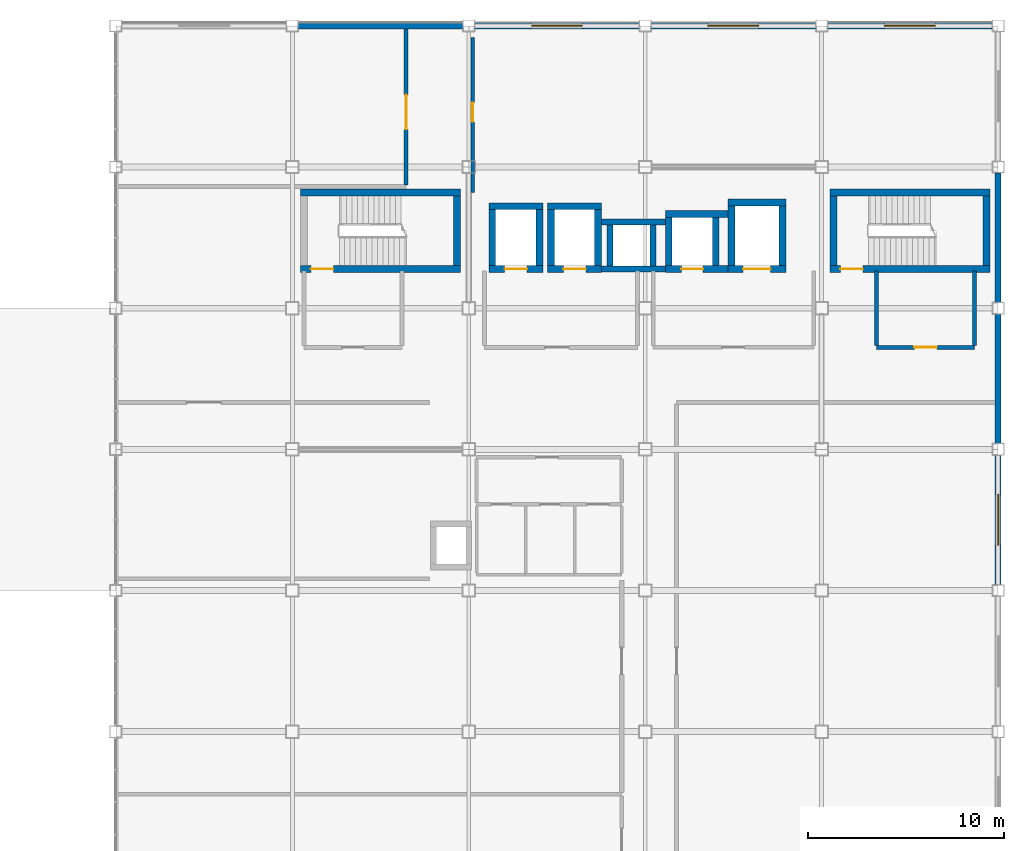
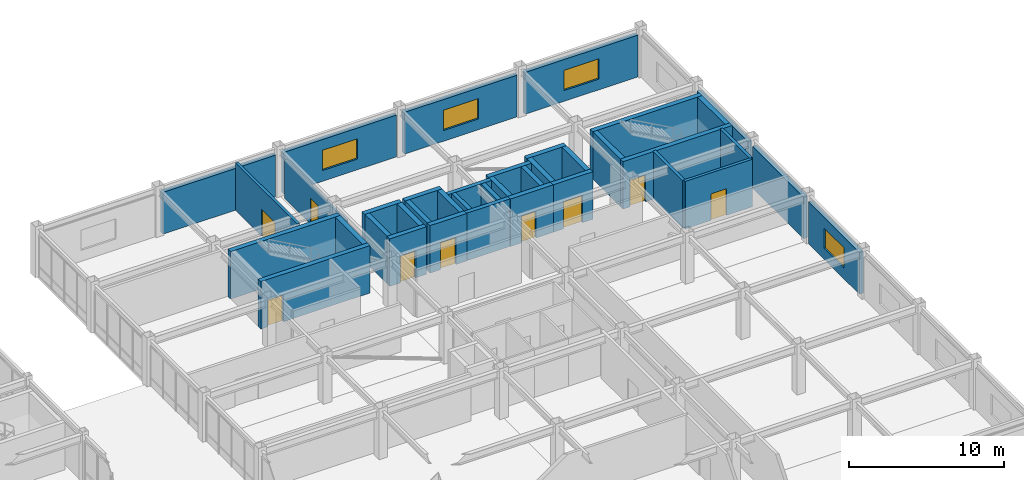
# One storey, part 99 of 113: 39 walls, 9 doors, 4 windows, 13 openings.
"""IFC4 building model written with IfcOpenShell, lengths in metres."""

import ifcopenshell
import ifcopenshell.guid

model = None  # the IFC model being written
_history = None  # IfcOwnerHistory: only IFC2X3 demands one
_inside = {}  # id of a spatial element -> (the spatial element, [elements in it])
_under = {}  # id of a project, library or spatial element -> (it, [spatial elements below it])
_declared = {}  # id of a project -> (the project, [libraries it declares])
_typed = {}  # id of a type object -> (the type object, [elements of that type])
_made_of = {}  # id of a material, layer set ... -> (it, [elements and type objects made of it])


def new_model(schema):
    """Start an empty IFC model of exactly this schema.

    Asked for "IFC4X3", IfcOpenShell would pick the latest addendum, in which some entities
    have other attributes; the version numbers below select the first issue.
    IFC2X3 requires an IfcOwnerHistory on every rooted entity: one is made here for all.
    """
    global model, _history
    if schema == "IFC4X3":
        model = ifcopenshell.file(schema_version=(4, 3, 0, 0))
    else:
        model = ifcopenshell.file(schema=schema)
    _inside.clear()
    _under.clear()
    _declared.clear()
    _typed.clear()
    _made_of.clear()
    _history = None
    if model.schema == "IFC2X3":
        org = make("IfcOrganization", Name="unknown")
        user = make(
            "IfcPersonAndOrganization",
            ThePerson=make("IfcPerson", FamilyName="unknown"),
            TheOrganization=org,
        )
        app = make(
            "IfcApplication",
            ApplicationDeveloper=org,
            Version="unknown",
            ApplicationFullName="unknown",
            ApplicationIdentifier="unknown",
        )
        _history = make(
            "IfcOwnerHistory",
            OwningUser=user,
            OwningApplication=app,
            ChangeAction="ADDED",
            CreationDate=0,
        )
    return model


def make(cls, **values):
    """One entity of the class cls with the attributes given. An attribute that is None is left unset."""
    return model.create_entity(
        cls, **{name: value for name, value in values.items() if value is not None}
    )


def rooted(cls, **values):
    """An entity with a GlobalId (a new one), such as an element, a storey or a relation."""
    return make(cls, GlobalId=ifcopenshell.guid.new(), OwnerHistory=_history, **values)


def si_unit(unit_type, name, prefix=None):
    """IfcSIUnit, for example si_unit("LENGTHUNIT", "METRE", prefix="MILLI")."""
    return make("IfcSIUnit", UnitType=unit_type, Prefix=prefix, Name=name)


def assignment(units):
    """IfcUnitAssignment: the units of a project."""
    return None if units is None else make("IfcUnitAssignment", Units=units)


def point(xyz):
    """IfcCartesianPoint."""
    return None if xyz is None else make("IfcCartesianPoint", Coordinates=xyz)


def direction(xyz):
    """IfcDirection."""
    return None if xyz is None else make("IfcDirection", DirectionRatios=xyz)


def frame(location, z_axis=None, x_axis=None):
    """IfcAxis2Placement3D, a coordinate frame: its origin and axes. An axis left out is left unset."""
    return make(
        "IfcAxis2Placement3D",
        Location=point(location),
        Axis=direction(z_axis),
        RefDirection=direction(x_axis),
    )


def frame_2d(location, x_axis=None):
    """IfcAxis2Placement2D, a coordinate frame in the plane: its origin and x axis."""
    return make(
        "IfcAxis2Placement2D", Location=point(location), RefDirection=direction(x_axis)
    )


def origin():
    """The frame at (0, 0, 0) with its axes left unset."""
    return frame((0.0, 0.0, 0.0))


def place(relative_to, where):
    """IfcLocalPlacement: puts the frame where relative to a parent placement (None: the world)."""
    return make(
        "IfcLocalPlacement", PlacementRelTo=relative_to, RelativePlacement=where
    )


def context(
    kind, dimensions, precision=None, world=None, true_north=None, identifier=None
):
    """IfcGeometricRepresentationContext, for example the 3D "Model" context."""
    return make(
        "IfcGeometricRepresentationContext",
        ContextIdentifier=identifier,
        ContextType=kind,
        CoordinateSpaceDimension=dimensions,
        Precision=precision,
        WorldCoordinateSystem=world,
        TrueNorth=true_north,
    )


def subcontext(parent, identifier, kind, view, scale=None):
    """IfcGeometricRepresentationSubContext, for example "Body" below "Model"."""
    return make(
        "IfcGeometricRepresentationSubContext",
        ContextIdentifier=identifier,
        ContextType=kind,
        ParentContext=parent,
        TargetScale=scale,
        TargetView=view,
    )


def project(units=None, contexts=None):
    """IfcProject with its units and contexts."""
    return rooted(
        "IfcProject",
        Name="project",
        RepresentationContexts=contexts,
        UnitsInContext=assignment(units),
    )


def spatial(cls, under=None, at=None, **own):
    """A site, building, storey or space (cls), placed at a placement, below another one or the project."""
    s = rooted(cls, ObjectPlacement=at, **own)
    if under is not None:
        _under.setdefault(under.id(), (under, []))[1].append(s)
    return s


def profile(cls, at=None, kind="AREA", **sizes):
    """A parametric profile (cls). Its sizes go by their IFC names, for example OverallWidth=200.0."""
    return make(cls, ProfileType=kind, Position=at, **sizes)


def rectangle(**sizes):
    """IfcRectangleProfileDef."""
    return profile("IfcRectangleProfileDef", **sizes)


def extrude(swept, where, along, depth):
    """IfcExtrudedAreaSolid: the profile swept, set in the frame where, extruded along a direction by depth."""
    return make(
        "IfcExtrudedAreaSolid",
        SweptArea=swept,
        Position=where,
        ExtrudedDirection=direction(along),
        Depth=depth,
    )


def shape(context_of_items, identifier, shape_type, items):
    """IfcShapeRepresentation: the items that make up one representation, for example the "Body"."""
    return make(
        "IfcShapeRepresentation",
        ContextOfItems=context_of_items,
        RepresentationIdentifier=identifier,
        RepresentationType=shape_type,
        Items=items,
    )


def material(Name=None, Category=None):
    """IfcMaterial."""
    return make("IfcMaterial", Name=Name, Category=Category)


def layer(
    of_material, thickness, ventilated=None, Name=None, Category=None, Priority=None
):
    """IfcMaterialLayer: one layer of a wall or slab, of a material (None: an air gap)."""
    return make(
        "IfcMaterialLayer",
        Material=of_material,
        LayerThickness=thickness,
        IsVentilated=ventilated,
        Name=Name,
        Category=Category,
        Priority=Priority,
    )


def layer_set(layers, Name=None):
    """IfcMaterialLayerSet."""
    return make("IfcMaterialLayerSet", MaterialLayers=layers, LayerSetName=Name)


def made_of(thing, what):
    """Note that an element or type object is made of a material, layer set ...; save() writes the relation."""
    if what is not None:
        _made_of.setdefault(what.id(), (what, []))[1].append(thing)
    return thing


def type_object(cls, material=None, **own):
    """A type object (cls), such as IfcWallType, which elements share."""
    return made_of(rooted(cls, **own), material)


def element(
    cls,
    number,
    at=None,
    inside=None,
    cuts=None,
    type_object=None,
    material=None,
    context=None,
    identifier="Body",
    shape_type=None,
    held_by="IfcProductDefinitionShape",
    body=None,
    shapes=None,
    **own,
):
    """One element of the class cls, such as IfcWall. Its Tag is "e" and its number.

    at: its placement. inside: the storey or other place that contains it. cuts: it is an
    opening in that element (IfcRelVoidsElement). A single representation is given by context,
    identifier, shape_type and body (its items); several are given by shapes. held_by: the class
    of the entity that holds the representations. save() writes the other relations.
    """
    e = rooted(cls, Tag="e%d" % number, ObjectPlacement=at, **own)
    if body is not None:
        shapes = [shape(context, identifier, shape_type, body)]
    if shapes is not None:
        e.Representation = make(held_by, Representations=shapes)
    if inside is not None:
        _inside.setdefault(inside.id(), (inside, []))[1].append(e)
    if cuts is not None:
        rooted(
            "IfcRelVoidsElement", RelatingBuildingElement=cuts, RelatedOpeningElement=e
        )
    if type_object is not None:
        _typed.setdefault(type_object.id(), (type_object, []))[1].append(e)
    return made_of(e, material)


def fill(opening, filler):
    """IfcRelFillsElement: the door or window that sits in an opening."""
    return rooted(
        "IfcRelFillsElement",
        RelatingOpeningElement=opening,
        RelatedBuildingElement=filler,
    )


def aggregate(whole, parts):
    """IfcRelAggregates: a whole, such as a stair, and the parts it consists of."""
    return rooted("IfcRelAggregates", RelatingObject=whole, RelatedObjects=parts)


def save(model, path):
    """Write the relations noted so far, then the file.

    IfcRelAggregates (storeys below a building ...), IfcRelContainedInSpatialStructure (elements
    in a storey), IfcRelDefinesByType, IfcRelAssociatesMaterial and IfcRelDeclares: one each for
    every whole, place, type object, material and project.
    """
    for whole, parts in _under.values():
        aggregate(whole, parts)
    for where, things in _inside.values():
        rooted(
            "IfcRelContainedInSpatialStructure",
            RelatedElements=things,
            RelatingStructure=where,
        )
    for kind, things in _typed.values():
        rooted("IfcRelDefinesByType", RelatedObjects=things, RelatingType=kind)
    for what, things in _made_of.values():
        rooted("IfcRelAssociatesMaterial", RelatedObjects=things, RelatingMaterial=what)
    for by, libraries in _declared.values():
        rooted("IfcRelDeclares", RelatingContext=by, RelatedDefinitions=libraries)
    model.write(path)


model = new_model("IFC4")

# Units and contexts
model_context = context("Model", 3, precision=1e-05, world=origin(), true_north=direction((0.0, 1.0)))
body_context = subcontext(model_context, "Body", "Model", "MODEL_VIEW")
ifc_project = project(units=[si_unit("LENGTHUNIT", "METRE"), si_unit("AREAUNIT", "SQUARE_METRE"), si_unit("VOLUMEUNIT", "CUBIC_METRE"), si_unit("PLANEANGLEUNIT", "RADIAN"), si_unit("MASSUNIT", "GRAM", prefix="KILO")], contexts=[model_context])

# Site, building, storey
site_placement = place(None, origin())
site = spatial("IfcSite", under=ifc_project, at=site_placement, CompositionType="ELEMENT")
building_placement = place(site_placement, origin())
building = spatial("IfcBuilding", under=site, at=building_placement, Name="Kazanami Central Library", CompositionType="ELEMENT")
storey_placement = place(building_placement, frame((0.0, 0.0, 8.800048828125)))
storey = spatial("IfcBuildingStorey", under=building, at=storey_placement, Name="L03", CompositionType="ELEMENT", Elevation=8.800048828125)

# Wall, opening, window
ifc_material_1 = material(Name="Concrete Fc36 (36 MPa)", Category="concrete")
ifc_layer_1 = layer(ifc_material_1, 0.219970703125, Name="Concrete Fc36 (36 MPa)")
ifc_material_2 = material(Name="Extruded Polystyrene XPS", Category="earth")
ifc_layer_2 = layer(ifc_material_2, 0.050048828125, Name="Extruded Polystyrene XPS")
ifc_material_3 = material(Name="Honed Inada Granite", Category="masonry")
ifc_layer_3 = layer(ifc_material_3, 0.030029296875, Name="Honed Inada Granite")
ifc_layer_set_1 = layer_set([ifc_layer_1, ifc_layer_2, ifc_layer_3], Name="Concrete Fc36 (36 MPa)")
wall_type_1 = type_object("IfcWallType", Name="WAL-EW-300", PredefinedType="STANDARD", material=ifc_layer_set_1)
wall_1_placement = place(storey_placement, frame((162.0, 71.699951171875, 0.0), z_axis=(0.0, 0.0, 1.0), x_axis=(0.0, -1.0, 0.0)))
wall_1 = element("IfcWall", 1, at=wall_1_placement, inside=storey, type_object=wall_type_1, Name="Exterior Facade Wall EW-300 L03 E-19-09", PredefinedType="STANDARD", context=body_context, shape_type="SweptSolid", body=[
    extrude(rectangle(XDim=6.599853515625, YDim=0.300048828125, at=frame_2d((3.2998046875, 0.0))), origin(), (0.0, 0.0, 1.0), 3.294921875),
])
opening_1_placement = place(wall_1_placement, frame((2.0, 0.0, 0.85009765625)))
opening_1 = element("IfcOpeningElement", 2, at=opening_1_placement, cuts=wall_1, Name="Opening WN-13", PredefinedType="OPENING", context=body_context, shape_type="SweptSolid", body=[
    extrude(rectangle(XDim=2.60009765625, YDim=1.60009765625, at=frame_2d((1.300048828125, 0.800048828125))), frame((0.0, 0.162109375, 0.0), z_axis=(0.0, -1.0, 0.0), x_axis=(1.0, 0.0, 0.0)), (0.0, 0.0, 1.0), 0.323974609375),
])
ifc_material_4 = material(Name="Low-E Insulated Triple Glass", Category="glass")
window_type = type_object("IfcWindowType", Name="WIN-WN-13", PartitioningType="DOUBLE_PANEL_VERTICAL", PredefinedType="WINDOW", material=ifc_material_4)
window_1_placement = place(opening_1_placement, origin())
window_1 = element("IfcWindow", 3, at=window_1_placement, inside=storey, type_object=window_type, Name="Facade Window WN-13 L03 E-19-09", OverallHeight=1.60009765625, OverallWidth=2.60009765625, PartitioningType="DOUBLE_PANEL_VERTICAL", PredefinedType="WINDOW", context=body_context, shape_type="SweptSolid", body=[
    extrude(rectangle(XDim=2.60009765625, YDim=1.60009765625, at=frame_2d((1.300048828125, 0.800048828125))), frame((0.0, 0.030029296875, 0.0), z_axis=(0.0, -1.0, 0.0), x_axis=(1.0, 0.0, 0.0)), (0.0, 0.0, 1.0), 0.06005859375),
])
fill(opening_1, window_1)

# Walls
wall_2_placement = place(storey_placement, frame((162.0, 78.89990234375, 0.0), z_axis=(0.0, 0.0, 1.0), x_axis=(0.0, -1.0, 0.0)))
element("IfcWall", 4, at=wall_2_placement, inside=storey, type_object=wall_type_1, Name="Exterior Facade Wall EW-300 L03 E-19-10", PredefinedType="STANDARD", context=body_context, shape_type="SweptSolid", body=[
    extrude(rectangle(XDim=6.599853515625, YDim=0.300048828125, at=frame_2d((3.2998046875, 0.0))), origin(), (0.0, 0.0, 1.0), 3.294921875),
])
wall_3_placement = place(storey_placement, frame((162.0, 86.10009765625, 0.0), z_axis=(0.0, 0.0, 1.0), x_axis=(0.0, -1.0, 0.0)))
element("IfcWall", 5, at=wall_3_placement, inside=storey, type_object=wall_type_1, Name="Exterior Facade Wall EW-300 L03 E-19-11", PredefinedType="STANDARD", context=body_context, shape_type="SweptSolid", body=[
    extrude(rectangle(XDim=6.60009765625, YDim=0.300048828125, at=frame_2d((3.300048828125, 0.0))), origin(), (0.0, 0.0, 1.0), 3.294921875),
])
ifc_layer_4 = layer(ifc_material_1, 0.239990234375, Name="Concrete Fc36 (36 MPa)")
ifc_layer_5 = layer(ifc_material_2, 0.050048828125, Name="Extruded Polystyrene XPS")
ifc_layer_6 = layer(ifc_material_3, 0.030029296875, Name="Honed Inada Granite")
ifc_layer_set_2 = layer_set([ifc_layer_4, ifc_layer_5, ifc_layer_6], Name="Concrete Fc36 (36 MPa)")
wall_type_2 = type_object("IfcWallType", Name="WAL-EW-320", PredefinedType="STANDARD", material=ifc_layer_set_2)
wall_4_placement = place(storey_placement, frame((134.699951171875, 93.60009765625, 0.0), z_axis=(0.0, 0.0, 1.0), x_axis=(-1.0, 0.0, 0.0)))
element("IfcWall", 6, at=wall_4_placement, inside=storey, type_object=wall_type_2, Name="Exterior Facade Wall EW-320 L03 N-O-14", PredefinedType="STANDARD", context=body_context, shape_type="SweptSolid", body=[
    extrude(rectangle(XDim=8.39990234375, YDim=0.320068359375, at=frame_2d((4.199951171875, 0.0))), origin(), (0.0, 0.0, 1.0), 3.294921875),
])

# Wall, opening, window
wall_5_placement = place(storey_placement, frame((143.699951171875, 93.60009765625, 0.0), z_axis=(0.0, 0.0, 1.0), x_axis=(-1.0, 0.0, 0.0)))
wall_5 = element("IfcWall", 7, at=wall_5_placement, inside=storey, type_object=wall_type_2, Name="Exterior Facade Wall EW-320 L03 N-O-15", PredefinedType="STANDARD", context=body_context, shape_type="SweptSolid", body=[
    extrude(rectangle(XDim=8.39990234375, YDim=0.320068359375, at=frame_2d((4.199951171875, 0.0))), origin(), (0.0, 0.0, 1.0), 3.294921875),
])
opening_2_placement = place(wall_5_placement, frame((2.89990234375, 0.0, 0.85009765625)))
opening_2 = element("IfcOpeningElement", 8, at=opening_2_placement, cuts=wall_5, Name="Opening WN-13", PredefinedType="OPENING", context=body_context, shape_type="SweptSolid", body=[
    extrude(rectangle(XDim=2.60009765625, YDim=1.60009765625, at=frame_2d((1.300048828125, 0.800048828125))), frame((0.0, 0.171875, 0.0), z_axis=(0.0, -1.0, 0.0), x_axis=(1.0, 0.0, 0.0)), (0.0, 0.0, 1.0), 0.343994140625),
])
window_2_placement = place(opening_2_placement, origin())
window_2 = element("IfcWindow", 9, at=window_2_placement, inside=storey, type_object=window_type, Name="Facade Window WN-13 L03 N-O-15", OverallHeight=1.60009765625, OverallWidth=2.60009765625, PartitioningType="DOUBLE_PANEL_VERTICAL", PredefinedType="WINDOW", context=body_context, shape_type="SweptSolid", body=[
    extrude(rectangle(XDim=2.60009765625, YDim=1.60009765625, at=frame_2d((1.300048828125, 0.800048828125))), frame((0.0, 0.030029296875, 0.0), z_axis=(0.0, -1.0, 0.0), x_axis=(1.0, 0.0, 0.0)), (0.0, 0.0, 1.0), 0.06005859375),
])
fill(opening_2, window_2)

wall_6_placement = place(storey_placement, frame((152.699951171875, 93.60009765625, 0.0), z_axis=(0.0, 0.0, 1.0), x_axis=(-1.0, 0.0, 0.0)))
wall_6 = element("IfcWall", 10, at=wall_6_placement, inside=storey, type_object=wall_type_2, Name="Exterior Facade Wall EW-320 L03 N-O-16", PredefinedType="STANDARD", context=body_context, shape_type="SweptSolid", body=[
    extrude(rectangle(XDim=8.39990234375, YDim=0.320068359375, at=frame_2d((4.199951171875, 0.0))), origin(), (0.0, 0.0, 1.0), 3.294921875),
])
opening_3_placement = place(wall_6_placement, frame((2.89990234375, 0.0, 0.85009765625)))
opening_3 = element("IfcOpeningElement", 11, at=opening_3_placement, cuts=wall_6, Name="Opening WN-13", PredefinedType="OPENING", context=body_context, shape_type="SweptSolid", body=[
    extrude(rectangle(XDim=2.60009765625, YDim=1.60009765625, at=frame_2d((1.300048828125, 0.800048828125))), frame((0.0, 0.171875, 0.0), z_axis=(0.0, -1.0, 0.0), x_axis=(1.0, 0.0, 0.0)), (0.0, 0.0, 1.0), 0.343994140625),
])
window_3_placement = place(opening_3_placement, origin())
window_3 = element("IfcWindow", 12, at=window_3_placement, inside=storey, type_object=window_type, Name="Facade Window WN-13 L03 N-O-16", OverallHeight=1.60009765625, OverallWidth=2.60009765625, PartitioningType="DOUBLE_PANEL_VERTICAL", PredefinedType="WINDOW", context=body_context, shape_type="SweptSolid", body=[
    extrude(rectangle(XDim=2.60009765625, YDim=1.60009765625, at=frame_2d((1.300048828125, 0.800048828125))), frame((0.0, 0.030029296875, 0.0), z_axis=(0.0, -1.0, 0.0), x_axis=(1.0, 0.0, 0.0)), (0.0, 0.0, 1.0), 0.06005859375),
])
fill(opening_3, window_3)

wall_7_placement = place(storey_placement, frame((161.699951171875, 93.60009765625, 0.0), z_axis=(0.0, 0.0, 1.0), x_axis=(-1.0, 0.0, 0.0)))
wall_7 = element("IfcWall", 13, at=wall_7_placement, inside=storey, type_object=wall_type_2, Name="Exterior Facade Wall EW-320 L03 N-O-17", PredefinedType="STANDARD", context=body_context, shape_type="SweptSolid", body=[
    extrude(rectangle(XDim=8.39990234375, YDim=0.320068359375, at=frame_2d((4.199951171875, 0.0))), origin(), (0.0, 0.0, 1.0), 3.294921875),
])
opening_4_placement = place(wall_7_placement, frame((2.89990234375, 0.0, 0.85009765625)))
opening_4 = element("IfcOpeningElement", 14, at=opening_4_placement, cuts=wall_7, Name="Opening WN-13", PredefinedType="OPENING", context=body_context, shape_type="SweptSolid", body=[
    extrude(rectangle(XDim=2.60009765625, YDim=1.60009765625, at=frame_2d((1.300048828125, 0.800048828125))), frame((0.0, 0.171875, 0.0), z_axis=(0.0, -1.0, 0.0), x_axis=(1.0, 0.0, 0.0)), (0.0, 0.0, 1.0), 0.343994140625),
])
window_4_placement = place(opening_4_placement, origin())
window_4 = element("IfcWindow", 15, at=window_4_placement, inside=storey, type_object=window_type, Name="Facade Window WN-13 L03 N-O-17", OverallHeight=1.60009765625, OverallWidth=2.60009765625, PartitioningType="DOUBLE_PANEL_VERTICAL", PredefinedType="WINDOW", context=body_context, shape_type="SweptSolid", body=[
    extrude(rectangle(XDim=2.60009765625, YDim=1.60009765625, at=frame_2d((1.300048828125, 0.800048828125))), frame((0.0, 0.030029296875, 0.0), z_axis=(0.0, -1.0, 0.0), x_axis=(1.0, 0.0, 0.0)), (0.0, 0.0, 1.0), 0.06005859375),
])
fill(opening_4, window_4)

# Wall, opening, door
ifc_material_5 = material(Name="Fire-Resistant Gypsum Board GB-F", Category="gypsum")
ifc_layer_7 = layer(ifc_material_5, 0.1650390625, Name="Fire-Resistant Gypsum Board GB-F")
ifc_layer_set_3 = layer_set([ifc_layer_7], Name="Fire-Resistant Gypsum Board GB-F")
wall_type_3 = type_object("IfcWallType", Name="WAL-FW-165", PredefinedType="PARTITIONING", material=ifc_layer_set_3)
wall_8_placement = place(storey_placement, frame((135.199951171875, 85.090087890625, 0.0), z_axis=(0.0, 0.0, 1.0), x_axis=(0.0, 1.0, 0.0)))
wall_8 = element("IfcWall", 16, at=wall_8_placement, inside=storey, type_object=wall_type_3, Name="Interior Partition FW-165 L03 RM-42 (West)", PredefinedType="PARTITIONING", context=body_context, shape_type="SweptSolid", body=[
    extrude(rectangle(XDim=7.9248046875, YDim=0.1650390625, at=frame_2d((3.96240234375, 0.0))), origin(), (0.0, 0.0, 1.0), 3.02490234375),
])
opening_5_placement = place(wall_8_placement, frame((3.6201171875, 0.0, 0.0)))
opening_5 = element("IfcOpeningElement", 17, at=opening_5_placement, cuts=wall_8, Name="Opening FD30-3", PredefinedType="OPENING", context=body_context, shape_type="SweptSolid", body=[
    extrude(rectangle(XDim=0.97998046875, YDim=2.02001953125, at=frame_2d((0.489990234375, 1.010009765625))), frame((0.0, 0.094482421875, 0.0), z_axis=(0.0, -1.0, 0.0), x_axis=(1.0, 0.0, 0.0)), (0.0, 0.0, 1.0), 0.18896484375),
])
ifc_material_6 = material(Name="Cold-Rolled Steel SPCC", Category="steel")
door_type_1 = type_object("IfcDoorType", Name="DOR-FD30-3", OperationType="NOTDEFINED", PredefinedType="DOOR", material=ifc_material_6)
door_1_placement = place(opening_5_placement, origin())
door_1 = element("IfcDoor", 18, at=door_1_placement, inside=storey, type_object=door_type_1, Name="Interior Door FD30-3 L03 RM-42", OperationType="SINGLE_SWING_RIGHT", OverallHeight=2.02001953125, OverallWidth=0.97998046875, PredefinedType="DOOR", context=body_context, shape_type="SweptSolid", body=[
    extrude(rectangle(XDim=0.97998046875, YDim=2.02001953125, at=frame_2d((0.489990234375, 1.010009765625))), frame((0.0, 0.02490234375, 0.0), z_axis=(0.0, -1.0, 0.0), x_axis=(1.0, 0.0, 0.0)), (0.0, 0.0, 1.0), 0.050048828125),
])
fill(opening_5, door_1)

ifc_layer_8 = layer(ifc_material_5, 0.199951171875, Name="Fire-Resistant Gypsum Board GB-F")
ifc_layer_set_4 = layer_set([ifc_layer_8], Name="Fire-Resistant Gypsum Board GB-F")
wall_type_4 = type_object("IfcWallType", Name="WAL-FW-200", PredefinedType="PARTITIONING", material=ifc_layer_set_4)
wall_9_placement = place(storey_placement, frame((131.800048828125, 85.489990234375, 0.0), z_axis=(0.0, 0.0, 1.0), x_axis=(0.0, 1.0, 0.0)))
wall_9 = element("IfcWall", 19, at=wall_9_placement, inside=storey, type_object=wall_type_4, Name="Interior Partition FW-200 L03 RM-41 (East)", PredefinedType="PARTITIONING", context=body_context, shape_type="SweptSolid", body=[
    extrude(rectangle(XDim=7.945068359375, YDim=0.199951171875, at=frame_2d((3.97265625, 0.0))), origin(), (0.0, 0.0, 1.0), 3.744873046875),
])
opening_6_placement = place(wall_9_placement, frame((2.8349609375, 0.0, 0.0)))
opening_6 = element("IfcOpeningElement", 20, at=opening_6_placement, cuts=wall_9, Name="Opening FD60-5", PredefinedType="OPENING", context=body_context, shape_type="SweptSolid", body=[
    extrude(rectangle(XDim=1.75, YDim=2.1201171875, at=frame_2d((0.875, 1.06005859375))), frame((0.0, 0.11181640625, 0.0), z_axis=(0.0, -1.0, 0.0), x_axis=(1.0, 0.0, 0.0)), (0.0, 0.0, 1.0), 0.223876953125),
])
door_type_2 = type_object("IfcDoorType", Name="DOR-FD60-5", OperationType="DOUBLE_DOOR_SINGLE_SWING", PredefinedType="DOOR", material=ifc_material_6)
door_2_placement = place(opening_6_placement, origin())
door_2 = element("IfcDoor", 21, at=door_2_placement, inside=storey, type_object=door_type_2, Name="Interior Door FD60-5 L03 RM-41", OperationType="DOUBLE_DOOR_SINGLE_SWING", OverallHeight=2.1201171875, OverallWidth=1.75, PredefinedType="DOOR", context=body_context, shape_type="SweptSolid", body=[
    extrude(rectangle(XDim=1.75, YDim=2.1201171875, at=frame_2d((0.875, 1.06005859375))), frame((0.0, 0.02490234375, 0.0), z_axis=(0.0, -1.0, 0.0), x_axis=(1.0, 0.0, 0.0)), (0.0, 0.0, 1.0), 0.050048828125),
])
fill(opening_6, door_2)

ifc_layer_9 = layer(ifc_material_5, 0.219970703125, Name="Fire-Resistant Gypsum Board GB-F")
ifc_layer_set_5 = layer_set([ifc_layer_9], Name="Fire-Resistant Gypsum Board GB-F")
wall_type_5 = type_object("IfcWallType", Name="WAL-FW-220", PredefinedType="PARTITIONING", material=ifc_layer_set_5)
wall_10_placement = place(storey_placement, frame((155.800048828125, 77.199951171875, 0.0), z_axis=(0.0, 0.0, 1.0), x_axis=(1.0, 0.0, 0.0)))
wall_10 = element("IfcWall", 22, at=wall_10_placement, inside=storey, type_object=wall_type_5, Name="Interior Partition FW-220 L03 VEST-ST-02 (South)", PredefinedType="PARTITIONING", context=body_context, shape_type="SweptSolid", body=[
    extrude(rectangle(XDim=5.0, YDim=0.219970703125, at=frame_2d((2.5, 0.0))), origin(), (0.0, 0.0, 1.0), 3.744873046875),
])
opening_7_placement = place(wall_10_placement, frame((1.925048828125, 0.0, 0.0)))
opening_7 = element("IfcOpeningElement", 23, at=opening_7_placement, cuts=wall_10, Name="Opening FD60-2", PredefinedType="OPENING", context=body_context, shape_type="SweptSolid", body=[
    extrude(rectangle(XDim=1.14990234375, YDim=2.10009765625, at=frame_2d((0.574951171875, 1.050048828125))), frame((0.0, 0.1220703125, 0.0), z_axis=(0.0, -1.0, 0.0), x_axis=(1.0, 0.0, 0.0)), (0.0, 0.0, 1.0), 0.243896484375),
])
door_type_3 = type_object("IfcDoorType", Name="DOR-FD60-2", OperationType="NOTDEFINED", PredefinedType="DOOR", material=ifc_material_6)
door_3_placement = place(opening_7_placement, origin())
door_3 = element("IfcDoor", 24, at=door_3_placement, inside=storey, type_object=door_type_3, Name="Interior Door FD60-2 L03 VEST-ST-02", OperationType="SINGLE_SWING_LEFT", OverallHeight=2.10009765625, OverallWidth=1.14990234375, PredefinedType="DOOR", context=body_context, shape_type="SweptSolid", body=[
    extrude(rectangle(XDim=1.14990234375, YDim=2.10009765625, at=frame_2d((0.574951171875, 1.050048828125))), frame((0.0, 0.02490234375, 0.0), z_axis=(0.0, -1.0, 0.0), x_axis=(1.0, 0.0, 0.0)), (0.0, 0.0, 1.0), 0.050048828125),
])
fill(opening_7, door_3)

# Walls
for number, where, z_axis, x_axis, name in (
    (25, (155.800048828125, 77.2900390625, 0.0), (0.0, 0.0, 1.0), (0.0, 1.0, 0.0), "Interior Partition FW-220 L03 VEST-ST-02 (West)"),
    (26, (160.800048828125, 77.2900390625, 0.0), (0.0, 0.0, 1.0), (0.0, 1.0, 0.0), "Interior Partition FW-220 L03 VEST-ST-02 (East)"),
):
    element("IfcWall", number, at=place(storey_placement, frame(where, z_axis=z_axis, x_axis=x_axis)), inside=storey, type_object=wall_type_5, Name=name, PredefinedType="PARTITIONING", context=body_context, shape_type="SweptSolid", body=[
        extrude(rectangle(XDim=3.820068359375, YDim=0.219970703125, at=frame_2d((1.91015625, 0.0))), origin(), (0.0, 0.0, 1.0), 3.744873046875),
    ])
ifc_layer_10 = layer(ifc_material_1, 0.300048828125, Name="Concrete Fc36 (36 MPa)")
ifc_layer_set_6 = layer_set([ifc_layer_10], Name="Concrete Fc36 (36 MPa)")
wall_type_6 = type_object("IfcWallType", Name="WAL-SW-300", PredefinedType="SHEAR", material=ifc_layer_set_6)
for number, where, z_axis, x_axis, name in (
    (27, (141.77490234375, 81.199951171875, 0.0), (0.0, 0.0, 1.0), (1.0, 0.0, 0.0), "Service Riser Wall RSR-V2-A S L03"),
    (28, (141.77490234375, 83.60009765625, 0.0), (0.0, 0.0, 1.0), (1.0, 0.0, 0.0), "Service Riser Wall RSR-V2-A N L03"),
):
    element("IfcWall", number, at=place(storey_placement, frame(where, z_axis=z_axis, x_axis=x_axis)), inside=storey, type_object=wall_type_6, Name=name, PredefinedType="SHEAR", context=body_context, shape_type="SweptSolid", body=[
        extrude(rectangle(XDim=3.25, YDim=0.300048828125, at=frame_2d((1.625, 0.0))), origin(), (0.0, 0.0, 1.0), 3.744873046875),
    ])
for number, where, z_axis, x_axis, name in (
    (29, (142.199951171875, 81.35009765625, 0.0), (0.0, 0.0, 1.0), (0.0, 1.0, 0.0), "Service Riser Wall RSR-V2-A W L03"),
    (30, (144.39990234375, 81.35009765625, 0.0), (0.0, 0.0, 1.0), (0.0, 1.0, 0.0), "Service Riser Wall RSR-V2-A E L03"),
):
    element("IfcWall", number, at=place(storey_placement, frame(where, z_axis=z_axis, x_axis=x_axis)), inside=storey, type_object=wall_type_6, Name=name, PredefinedType="SHEAR", context=body_context, shape_type="SweptSolid", body=[
        extrude(rectangle(XDim=2.099853515625, YDim=0.300048828125, at=frame_2d((1.0498046875, 0.0))), origin(), (0.0, 0.0, 1.0), 3.744873046875),
    ])

# Wall, opening, door
ifc_layer_11 = layer(ifc_material_1, 0.35009765625, Name="Concrete Fc36 (36 MPa)")
ifc_layer_set_7 = layer_set([ifc_layer_11], Name="Concrete Fc36 (36 MPa)")
wall_type_7 = type_object("IfcWallType", Name="WAL-SW-350", PredefinedType="SHEAR", material=ifc_layer_set_7)
wall_11_placement = place(storey_placement, frame((126.425048828125, 81.199951171875, 0.0), z_axis=(0.0, 0.0, 1.0), x_axis=(1.0, 0.0, 0.0)))
wall_11 = element("IfcWall", 31, at=wall_11_placement, inside=storey, type_object=wall_type_7, Name="Stair Core Wall ST-01 South L03", PredefinedType="SHEAR", context=body_context, shape_type="SweptSolid", body=[
    extrude(rectangle(XDim=8.14990234375, YDim=0.35009765625, at=frame_2d((4.074951171875, 0.0))), origin(), (0.0, 0.0, 1.0), 3.744873046875),
])
opening_8_placement = place(wall_11_placement, frame((0.52490234375, 0.0, 0.0)))
opening_8 = element("IfcOpeningElement", 32, at=opening_8_placement, cuts=wall_11, Name="Opening FD60-2", PredefinedType="OPENING", context=body_context, shape_type="SweptSolid", body=[
    extrude(rectangle(XDim=1.14990234375, YDim=2.10009765625, at=frame_2d((0.574951171875, 1.050048828125))), frame((0.0, 0.18701171875, 0.0), z_axis=(0.0, -1.0, 0.0), x_axis=(1.0, 0.0, 0.0)), (0.0, 0.0, 1.0), 0.3740234375),
])
door_4_placement = place(opening_8_placement, origin())
door_4 = element("IfcDoor", 33, at=door_4_placement, inside=storey, type_object=door_type_3, Name="Escape Stair ST-01 Fire Door L03", OperationType="SINGLE_SWING_RIGHT", OverallHeight=2.10009765625, OverallWidth=1.14990234375, PredefinedType="DOOR", context=body_context, shape_type="SweptSolid", body=[
    extrude(rectangle(XDim=1.14990234375, YDim=2.10009765625, at=frame_2d((0.574951171875, 1.050048828125))), frame((0.0, 0.02490234375, 0.0), z_axis=(0.0, -1.0, 0.0), x_axis=(1.0, 0.0, 0.0)), (0.0, 0.0, 1.0), 0.050048828125),
])
fill(opening_8, door_4)

# Walls
wall_12_placement = place(storey_placement, frame((126.425048828125, 85.10009765625, 0.0), z_axis=(0.0, 0.0, 1.0), x_axis=(1.0, 0.0, 0.0)))
element("IfcWall", 34, at=wall_12_placement, inside=storey, type_object=wall_type_7, Name="Stair Core Wall ST-01 North L03", PredefinedType="SHEAR", context=body_context, shape_type="SweptSolid", body=[
    extrude(rectangle(XDim=8.14990234375, YDim=0.35009765625, at=frame_2d((4.074951171875, 0.0))), origin(), (0.0, 0.0, 1.0), 3.744873046875),
])
wall_13_placement = place(storey_placement, frame((134.39990234375, 81.375, 0.0), z_axis=(0.0, 0.0, 1.0), x_axis=(0.0, 1.0, 0.0)))
element("IfcWall", 35, at=wall_13_placement, inside=storey, type_object=wall_type_7, Name="Stair Core Wall ST-01 East L03", PredefinedType="SHEAR", context=body_context, shape_type="SweptSolid", body=[
    extrude(rectangle(XDim=3.550048828125, YDim=0.35009765625, at=frame_2d((1.77490234375, 0.0))), origin(), (0.0, 0.0, 1.0), 3.744873046875),
])

# Wall, opening, door
wall_14_placement = place(storey_placement, frame((153.425048828125, 81.199951171875, 0.0), z_axis=(0.0, 0.0, 1.0), x_axis=(1.0, 0.0, 0.0)))
wall_14 = element("IfcWall", 36, at=wall_14_placement, inside=storey, type_object=wall_type_7, Name="Stair Core Wall ST-02 South L03", PredefinedType="SHEAR", context=body_context, shape_type="SweptSolid", body=[
    extrude(rectangle(XDim=8.14990234375, YDim=0.35009765625, at=frame_2d((4.074951171875, 0.0))), origin(), (0.0, 0.0, 1.0), 3.744873046875),
])
opening_9_placement = place(wall_14_placement, frame((0.52490234375, 0.0, 0.0)))
opening_9 = element("IfcOpeningElement", 37, at=opening_9_placement, cuts=wall_14, Name="Opening FD60-2", PredefinedType="OPENING", context=body_context, shape_type="SweptSolid", body=[
    extrude(rectangle(XDim=1.14990234375, YDim=2.10009765625, at=frame_2d((0.574951171875, 1.050048828125))), frame((0.0, 0.18701171875, 0.0), z_axis=(0.0, -1.0, 0.0), x_axis=(1.0, 0.0, 0.0)), (0.0, 0.0, 1.0), 0.3740234375),
])
door_5_placement = place(opening_9_placement, origin())
door_5 = element("IfcDoor", 38, at=door_5_placement, inside=storey, type_object=door_type_3, Name="Escape Stair ST-02 Fire Door L03", OperationType="SINGLE_SWING_RIGHT", OverallHeight=2.10009765625, OverallWidth=1.14990234375, PredefinedType="DOOR", context=body_context, shape_type="SweptSolid", body=[
    extrude(rectangle(XDim=1.14990234375, YDim=2.10009765625, at=frame_2d((0.574951171875, 1.050048828125))), frame((0.0, 0.02490234375, 0.0), z_axis=(0.0, -1.0, 0.0), x_axis=(1.0, 0.0, 0.0)), (0.0, 0.0, 1.0), 0.050048828125),
])
fill(opening_9, door_5)

# Walls
wall_15_placement = place(storey_placement, frame((153.425048828125, 85.10009765625, 0.0), z_axis=(0.0, 0.0, 1.0), x_axis=(1.0, 0.0, 0.0)))
element("IfcWall", 39, at=wall_15_placement, inside=storey, type_object=wall_type_7, Name="Stair Core Wall ST-02 North L03", PredefinedType="SHEAR", context=body_context, shape_type="SweptSolid", body=[
    extrude(rectangle(XDim=8.14990234375, YDim=0.35009765625, at=frame_2d((4.074951171875, 0.0))), origin(), (0.0, 0.0, 1.0), 3.744873046875),
])
for number, where, z_axis, x_axis, name in (
    (40, (153.60009765625, 81.375, 0.0), (0.0, 0.0, 1.0), (0.0, 1.0, 0.0), "Stair Core Wall ST-02 West L03"),
    (41, (161.39990234375, 81.375, 0.0), (0.0, 0.0, 1.0), (0.0, 1.0, 0.0), "Stair Core Wall ST-02 East L03"),
):
    element("IfcWall", number, at=place(storey_placement, frame(where, z_axis=z_axis, x_axis=x_axis)), inside=storey, type_object=wall_type_7, Name=name, PredefinedType="SHEAR", context=body_context, shape_type="SweptSolid", body=[
        extrude(rectangle(XDim=3.550048828125, YDim=0.35009765625, at=frame_2d((1.77490234375, 0.0))), origin(), (0.0, 0.0, 1.0), 3.744873046875),
    ])

# Wall, opening, door
wall_16_placement = place(storey_placement, frame((136.02490234375, 81.199951171875, 0.0), z_axis=(0.0, 0.0, 1.0), x_axis=(1.0, 0.0, 0.0)))
wall_16 = element("IfcWall", 42, at=wall_16_placement, inside=storey, type_object=wall_type_7, Name="Lift Shaft Wall EL-F1 South L03", PredefinedType="SHEAR", context=body_context, shape_type="SweptSolid", body=[
    extrude(rectangle(XDim=2.75, YDim=0.35009765625, at=frame_2d((1.375, 0.0))), origin(), (0.0, 0.0, 1.0), 3.744873046875),
])
opening_10_placement = place(wall_16_placement, frame((0.800048828125, 0.0, 0.0)))
opening_10 = element("IfcOpeningElement", 43, at=opening_10_placement, cuts=wall_16, Name="Opening LD-02", PredefinedType="OPENING", context=body_context, shape_type="SweptSolid", body=[
    extrude(rectangle(XDim=1.14990234375, YDim=2.1201171875, at=frame_2d((0.574951171875, 1.06005859375))), frame((0.0, 0.18701171875, 0.0), z_axis=(0.0, -1.0, 0.0), x_axis=(1.0, 0.0, 0.0)), (0.0, 0.0, 1.0), 0.3740234375),
])
ifc_material_7 = material(Name="Stainless Steel SUS304", Category="steel")
door_type_4 = type_object("IfcDoorType", Name="DOR-LD-02", OperationType="SLIDING_TO_LEFT", PredefinedType="DOOR", material=ifc_material_7)
door_6_placement = place(opening_10_placement, origin())
door_6 = element("IfcDoor", 44, at=door_6_placement, inside=storey, type_object=door_type_4, Name="Lift Landing Sliding Door EL-F1 (L03)", OperationType="SLIDING_TO_LEFT", OverallHeight=2.1201171875, OverallWidth=1.14990234375, PredefinedType="DOOR", context=body_context, shape_type="SweptSolid", body=[
    extrude(rectangle(XDim=1.14990234375, YDim=2.1201171875, at=frame_2d((0.574951171875, 1.06005859375))), frame((0.0, 0.02490234375, 0.0), z_axis=(0.0, -1.0, 0.0), x_axis=(1.0, 0.0, 0.0)), (0.0, 0.0, 1.0), 0.050048828125),
])
fill(opening_10, door_6)

# Walls
wall_17_placement = place(storey_placement, frame((136.02490234375, 84.39990234375, 0.0), z_axis=(0.0, 0.0, 1.0), x_axis=(1.0, 0.0, 0.0)))
element("IfcWall", 45, at=wall_17_placement, inside=storey, type_object=wall_type_7, Name="Lift Shaft Wall EL-F1 North L03", PredefinedType="SHEAR", context=body_context, shape_type="SweptSolid", body=[
    extrude(rectangle(XDim=2.75, YDim=0.35009765625, at=frame_2d((1.375, 0.0))), origin(), (0.0, 0.0, 1.0), 3.744873046875),
])
for number, where, z_axis, x_axis, name in (
    (46, (136.199951171875, 81.375, 0.0), (0.0, 0.0, 1.0), (0.0, 1.0, 0.0), "Lift Shaft Wall EL-F1 West L03"),
    (47, (138.60009765625, 81.375, 0.0), (0.0, 0.0, 1.0), (0.0, 1.0, 0.0), "Lift Shaft Wall EL-F1 East L03"),
):
    element("IfcWall", number, at=place(storey_placement, frame(where, z_axis=z_axis, x_axis=x_axis)), inside=storey, type_object=wall_type_7, Name=name, PredefinedType="SHEAR", context=body_context, shape_type="SweptSolid", body=[
        extrude(rectangle(XDim=2.85009765625, YDim=0.35009765625, at=frame_2d((1.425048828125, 0.0))), origin(), (0.0, 0.0, 1.0), 3.744873046875),
    ])

# Wall, opening, door
wall_18_placement = place(storey_placement, frame((139.02490234375, 81.199951171875, 0.0), z_axis=(0.0, 0.0, 1.0), x_axis=(1.0, 0.0, 0.0)))
wall_18 = element("IfcWall", 48, at=wall_18_placement, inside=storey, type_object=wall_type_7, Name="Lift Shaft Wall EL-F2 South L03", PredefinedType="SHEAR", context=body_context, shape_type="SweptSolid", body=[
    extrude(rectangle(XDim=2.75, YDim=0.35009765625, at=frame_2d((1.375, 0.0))), origin(), (0.0, 0.0, 1.0), 3.744873046875),
])
opening_11_placement = place(wall_18_placement, frame((0.800048828125, 0.0, 0.0)))
opening_11 = element("IfcOpeningElement", 49, at=opening_11_placement, cuts=wall_18, Name="Opening LD-02", PredefinedType="OPENING", context=body_context, shape_type="SweptSolid", body=[
    extrude(rectangle(XDim=1.14990234375, YDim=2.1201171875, at=frame_2d((0.574951171875, 1.06005859375))), frame((0.0, 0.18701171875, 0.0), z_axis=(0.0, -1.0, 0.0), x_axis=(1.0, 0.0, 0.0)), (0.0, 0.0, 1.0), 0.3740234375),
])
door_7_placement = place(opening_11_placement, origin())
door_7 = element("IfcDoor", 50, at=door_7_placement, inside=storey, type_object=door_type_4, Name="Lift Landing Sliding Door EL-F2 (L03)", OperationType="SLIDING_TO_LEFT", OverallHeight=2.1201171875, OverallWidth=1.14990234375, PredefinedType="DOOR", context=body_context, shape_type="SweptSolid", body=[
    extrude(rectangle(XDim=1.14990234375, YDim=2.1201171875, at=frame_2d((0.574951171875, 1.06005859375))), frame((0.0, 0.02490234375, 0.0), z_axis=(0.0, -1.0, 0.0), x_axis=(1.0, 0.0, 0.0)), (0.0, 0.0, 1.0), 0.050048828125),
])
fill(opening_11, door_7)

# Walls
wall_19_placement = place(storey_placement, frame((139.02490234375, 84.39990234375, 0.0), z_axis=(0.0, 0.0, 1.0), x_axis=(1.0, 0.0, 0.0)))
element("IfcWall", 51, at=wall_19_placement, inside=storey, type_object=wall_type_7, Name="Lift Shaft Wall EL-F2 North L03", PredefinedType="SHEAR", context=body_context, shape_type="SweptSolid", body=[
    extrude(rectangle(XDim=2.75, YDim=0.35009765625, at=frame_2d((1.375, 0.0))), origin(), (0.0, 0.0, 1.0), 3.744873046875),
])
for number, where, z_axis, x_axis, name in (
    (52, (139.199951171875, 81.375, 0.0), (0.0, 0.0, 1.0), (0.0, 1.0, 0.0), "Lift Shaft Wall EL-F2 West L03"),
    (53, (141.60009765625, 81.375, 0.0), (0.0, 0.0, 1.0), (0.0, 1.0, 0.0), "Lift Shaft Wall EL-F2 East L03"),
):
    element("IfcWall", number, at=place(storey_placement, frame(where, z_axis=z_axis, x_axis=x_axis)), inside=storey, type_object=wall_type_7, Name=name, PredefinedType="SHEAR", context=body_context, shape_type="SweptSolid", body=[
        extrude(rectangle(XDim=2.85009765625, YDim=0.35009765625, at=frame_2d((1.425048828125, 0.0))), origin(), (0.0, 0.0, 1.0), 3.744873046875),
    ])

# Wall, opening, door
wall_20_placement = place(storey_placement, frame((145.02490234375, 81.199951171875, 0.0), z_axis=(0.0, 0.0, 1.0), x_axis=(1.0, 0.0, 0.0)))
wall_20 = element("IfcWall", 54, at=wall_20_placement, inside=storey, type_object=wall_type_7, Name="Lift Shaft Wall EL-P1 South L03", PredefinedType="SHEAR", context=body_context, shape_type="SweptSolid", body=[
    extrude(rectangle(XDim=3.2001953125, YDim=0.35009765625, at=frame_2d((1.60009765625, 0.0))), origin(), (0.0, 0.0, 1.0), 3.744873046875),
])
opening_12_placement = place(wall_20_placement, frame((0.824951171875, 0.0, 0.0)))
opening_12 = element("IfcOpeningElement", 55, at=opening_12_placement, cuts=wall_20, Name="Opening LD-01", PredefinedType="OPENING", context=body_context, shape_type="SweptSolid", body=[
    extrude(rectangle(XDim=1.10009765625, YDim=2.10009765625, at=frame_2d((0.550048828125, 1.050048828125))), frame((0.0, 0.18701171875, 0.0), z_axis=(0.0, -1.0, 0.0), x_axis=(1.0, 0.0, 0.0)), (0.0, 0.0, 1.0), 0.3740234375),
])
door_type_5 = type_object("IfcDoorType", Name="DOR-LD-01", OperationType="SLIDING_TO_LEFT", PredefinedType="DOOR", material=ifc_material_7)
door_8_placement = place(opening_12_placement, origin())
door_8 = element("IfcDoor", 56, at=door_8_placement, inside=storey, type_object=door_type_5, Name="Lift Landing Sliding Door EL-P1 (L03)", OperationType="SLIDING_TO_LEFT", OverallHeight=2.10009765625, OverallWidth=1.10009765625, PredefinedType="DOOR", context=body_context, shape_type="SweptSolid", body=[
    extrude(rectangle(XDim=1.10009765625, YDim=2.10009765625, at=frame_2d((0.550048828125, 1.050048828125))), frame((0.0, 0.02490234375, 0.0), z_axis=(0.0, -1.0, 0.0), x_axis=(1.0, 0.0, 0.0)), (0.0, 0.0, 1.0), 0.050048828125),
])
fill(opening_12, door_8)

# Walls
wall_21_placement = place(storey_placement, frame((145.02490234375, 84.0, 0.0), z_axis=(0.0, 0.0, 1.0), x_axis=(1.0, 0.0, 0.0)))
element("IfcWall", 57, at=wall_21_placement, inside=storey, type_object=wall_type_7, Name="Lift Shaft Wall EL-P1 North L03", PredefinedType="SHEAR", context=body_context, shape_type="SweptSolid", body=[
    extrude(rectangle(XDim=3.2001953125, YDim=0.35009765625, at=frame_2d((1.60009765625, 0.0))), origin(), (0.0, 0.0, 1.0), 3.744873046875),
])
for number, where, z_axis, x_axis, name in (
    (58, (145.199951171875, 81.375, 0.0), (0.0, 0.0, 1.0), (0.0, 1.0, 0.0), "Lift Shaft Wall EL-P1 West L03"),
    (59, (147.60009765625, 81.375, 0.0), (0.0, 0.0, 1.0), (0.0, 1.0, 0.0), "Lift Shaft Wall EL-P1 East L03"),
):
    element("IfcWall", number, at=place(storey_placement, frame(where, z_axis=z_axis, x_axis=x_axis)), inside=storey, type_object=wall_type_7, Name=name, PredefinedType="SHEAR", context=body_context, shape_type="SweptSolid", body=[
        extrude(rectangle(XDim=2.449951171875, YDim=0.35009765625, at=frame_2d((1.22509765625, 0.0))), origin(), (0.0, 0.0, 1.0), 3.744873046875),
    ])

# Wall, opening, door
wall_22_placement = place(storey_placement, frame((148.22509765625, 81.199951171875, 0.0), z_axis=(0.0, 0.0, 1.0), x_axis=(1.0, 0.0, 0.0)))
wall_22 = element("IfcWall", 60, at=wall_22_placement, inside=storey, type_object=wall_type_7, Name="Lift Shaft Wall EL-S1 South L03", PredefinedType="SHEAR", context=body_context, shape_type="SweptSolid", body=[
    extrude(rectangle(XDim=2.949951171875, YDim=0.35009765625, at=frame_2d((1.47509765625, 0.0))), origin(), (0.0, 0.0, 1.0), 3.744873046875),
])
opening_13_placement = place(wall_22_placement, frame((0.77490234375, 0.0, 0.0)))
opening_13 = element("IfcOpeningElement", 61, at=opening_13_placement, cuts=wall_22, Name="Opening LD-03", PredefinedType="OPENING", context=body_context, shape_type="SweptSolid", body=[
    extrude(rectangle(XDim=1.39990234375, YDim=2.14990234375, at=frame_2d((0.699951171875, 1.074951171875))), frame((0.0, 0.18701171875, 0.0), z_axis=(0.0, -1.0, 0.0), x_axis=(1.0, 0.0, 0.0)), (0.0, 0.0, 1.0), 0.3740234375),
])
door_type_6 = type_object("IfcDoorType", Name="DOR-LD-03", OperationType="SLIDING_TO_LEFT", PredefinedType="DOOR", material=ifc_material_7)
door_9_placement = place(opening_13_placement, origin())
door_9 = element("IfcDoor", 62, at=door_9_placement, inside=storey, type_object=door_type_6, Name="Lift Landing Sliding Door EL-S1 (L03)", OperationType="SLIDING_TO_LEFT", OverallHeight=2.14990234375, OverallWidth=1.39990234375, PredefinedType="DOOR", context=body_context, shape_type="SweptSolid", body=[
    extrude(rectangle(XDim=1.39990234375, YDim=2.14990234375, at=frame_2d((0.699951171875, 1.074951171875))), frame((0.0, 0.02490234375, 0.0), z_axis=(0.0, -1.0, 0.0), x_axis=(1.0, 0.0, 0.0)), (0.0, 0.0, 1.0), 0.050048828125),
])
fill(opening_13, door_9)

# Walls
wall_23_placement = place(storey_placement, frame((148.22509765625, 84.60009765625, 0.0), z_axis=(0.0, 0.0, 1.0), x_axis=(1.0, 0.0, 0.0)))
element("IfcWall", 63, at=wall_23_placement, inside=storey, type_object=wall_type_7, Name="Lift Shaft Wall EL-S1 North L03", PredefinedType="SHEAR", context=body_context, shape_type="SweptSolid", body=[
    extrude(rectangle(XDim=2.949951171875, YDim=0.35009765625, at=frame_2d((1.47509765625, 0.0))), origin(), (0.0, 0.0, 1.0), 3.744873046875),
])
for number, where, z_axis, x_axis, name in (
    (64, (148.39990234375, 81.375, 0.0), (0.0, 0.0, 1.0), (0.0, 1.0, 0.0), "Lift Shaft Wall EL-S1 West L03"),
    (65, (151.0, 81.375, 0.0), (0.0, 0.0, 1.0), (0.0, 1.0, 0.0), "Lift Shaft Wall EL-S1 East L03"),
):
    element("IfcWall", number, at=place(storey_placement, frame(where, z_axis=z_axis, x_axis=x_axis)), inside=storey, type_object=wall_type_7, Name=name, PredefinedType="SHEAR", context=body_context, shape_type="SweptSolid", body=[
        extrude(rectangle(XDim=3.050048828125, YDim=0.35009765625, at=frame_2d((1.52490234375, 0.0))), origin(), (0.0, 0.0, 1.0), 3.744873046875),
    ])

save(model, "model.ifc")
